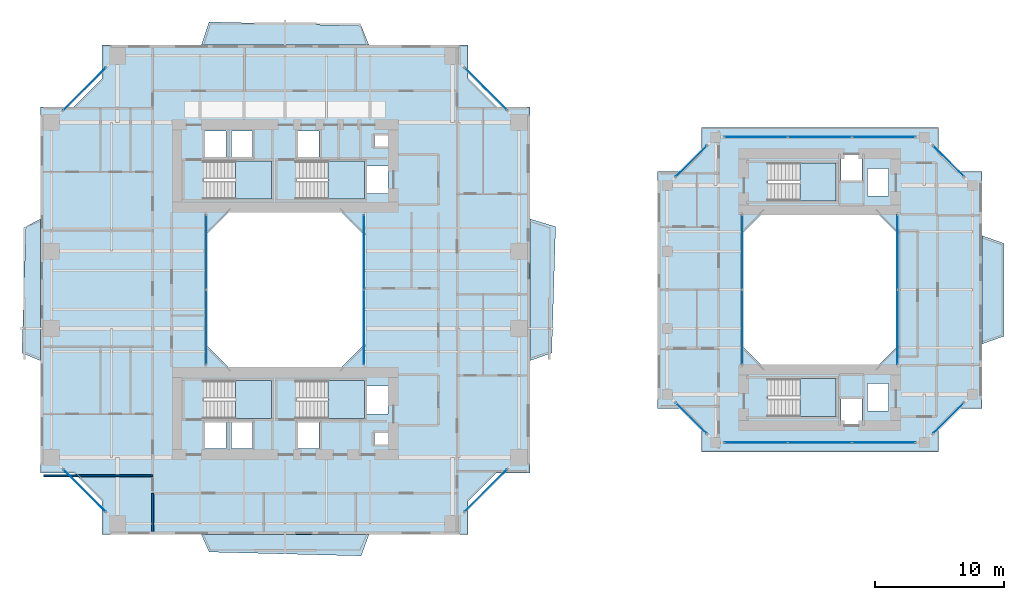
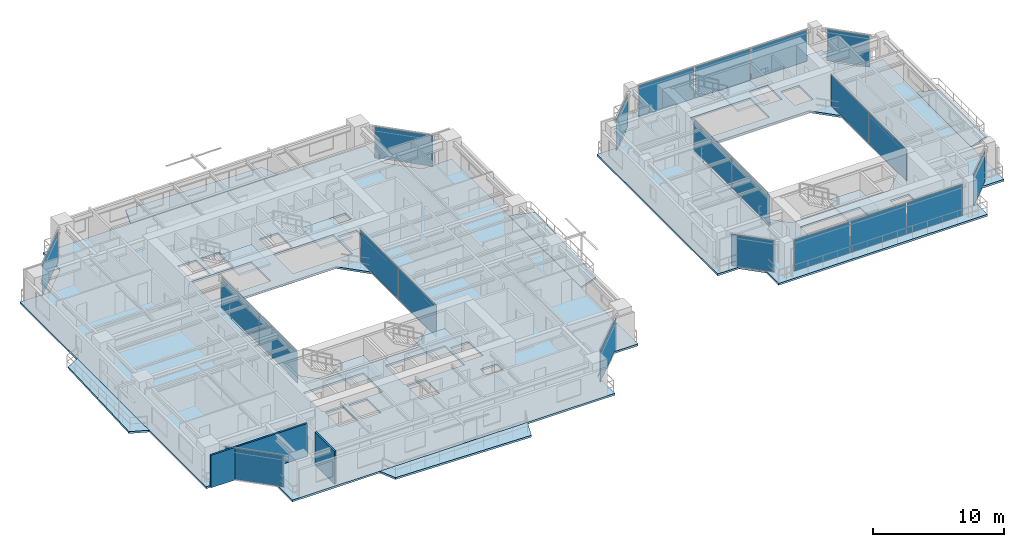
# One storey, part 11 of 23: 22 plates, 13 slabs, 2 walls, 20 elements without a shape of their own.
"""IFC4 building model written with IfcOpenShell, lengths in metres."""

import ifcopenshell
import ifcopenshell.guid

model = None  # the IFC model being written
_history = None  # IfcOwnerHistory: only IFC2X3 demands one
_inside = {}  # id of a spatial element -> (the spatial element, [elements in it])
_under = {}  # id of a project, library or spatial element -> (it, [spatial elements below it])
_declared = {}  # id of a project -> (the project, [libraries it declares])
_typed = {}  # id of a type object -> (the type object, [elements of that type])
_made_of = {}  # id of a material, layer set ... -> (it, [elements and type objects made of it])


def new_model(schema):
    """Start an empty IFC model of exactly this schema.

    Asked for "IFC4X3", IfcOpenShell would pick the latest addendum, in which some entities
    have other attributes; the version numbers below select the first issue.
    IFC2X3 requires an IfcOwnerHistory on every rooted entity: one is made here for all.
    """
    global model, _history
    if schema == "IFC4X3":
        model = ifcopenshell.file(schema_version=(4, 3, 0, 0))
    else:
        model = ifcopenshell.file(schema=schema)
    _inside.clear()
    _under.clear()
    _declared.clear()
    _typed.clear()
    _made_of.clear()
    _history = None
    if model.schema == "IFC2X3":
        org = make("IfcOrganization", Name="unknown")
        user = make(
            "IfcPersonAndOrganization",
            ThePerson=make("IfcPerson", FamilyName="unknown"),
            TheOrganization=org,
        )
        app = make(
            "IfcApplication",
            ApplicationDeveloper=org,
            Version="unknown",
            ApplicationFullName="unknown",
            ApplicationIdentifier="unknown",
        )
        _history = make(
            "IfcOwnerHistory",
            OwningUser=user,
            OwningApplication=app,
            ChangeAction="ADDED",
            CreationDate=0,
        )
    return model


def make(cls, **values):
    """One entity of the class cls with the attributes given. An attribute that is None is left unset."""
    return model.create_entity(
        cls, **{name: value for name, value in values.items() if value is not None}
    )


def rooted(cls, **values):
    """An entity with a GlobalId (a new one), such as an element, a storey or a relation."""
    return make(cls, GlobalId=ifcopenshell.guid.new(), OwnerHistory=_history, **values)


def si_unit(unit_type, name, prefix=None):
    """IfcSIUnit, for example si_unit("LENGTHUNIT", "METRE", prefix="MILLI")."""
    return make("IfcSIUnit", UnitType=unit_type, Prefix=prefix, Name=name)


def assignment(units):
    """IfcUnitAssignment: the units of a project."""
    return None if units is None else make("IfcUnitAssignment", Units=units)


def point(xyz):
    """IfcCartesianPoint."""
    return None if xyz is None else make("IfcCartesianPoint", Coordinates=xyz)


def direction(xyz):
    """IfcDirection."""
    return None if xyz is None else make("IfcDirection", DirectionRatios=xyz)


def frame(location, z_axis=None, x_axis=None):
    """IfcAxis2Placement3D, a coordinate frame: its origin and axes. An axis left out is left unset."""
    return make(
        "IfcAxis2Placement3D",
        Location=point(location),
        Axis=direction(z_axis),
        RefDirection=direction(x_axis),
    )


def frame_2d(location, x_axis=None):
    """IfcAxis2Placement2D, a coordinate frame in the plane: its origin and x axis."""
    return make(
        "IfcAxis2Placement2D", Location=point(location), RefDirection=direction(x_axis)
    )


def origin():
    """The frame at (0, 0, 0) with its axes left unset."""
    return frame((0.0, 0.0, 0.0))


def origin_2d():
    """The frame at (0, 0) in the plane with its x axis left unset."""
    return frame_2d((0.0, 0.0))


def place(relative_to, where):
    """IfcLocalPlacement: puts the frame where relative to a parent placement (None: the world)."""
    return make(
        "IfcLocalPlacement", PlacementRelTo=relative_to, RelativePlacement=where
    )


def context(
    kind, dimensions, precision=None, world=None, true_north=None, identifier=None
):
    """IfcGeometricRepresentationContext, for example the 3D "Model" context."""
    return make(
        "IfcGeometricRepresentationContext",
        ContextIdentifier=identifier,
        ContextType=kind,
        CoordinateSpaceDimension=dimensions,
        Precision=precision,
        WorldCoordinateSystem=world,
        TrueNorth=true_north,
    )


def subcontext(parent, identifier, kind, view, scale=None):
    """IfcGeometricRepresentationSubContext, for example "Body" below "Model"."""
    return make(
        "IfcGeometricRepresentationSubContext",
        ContextIdentifier=identifier,
        ContextType=kind,
        ParentContext=parent,
        TargetScale=scale,
        TargetView=view,
    )


def project(units=None, contexts=None):
    """IfcProject with its units and contexts."""
    return rooted(
        "IfcProject",
        Name="project",
        RepresentationContexts=contexts,
        UnitsInContext=assignment(units),
    )


def spatial(cls, under=None, at=None, **own):
    """A site, building, storey or space (cls), placed at a placement, below another one or the project."""
    s = rooted(cls, ObjectPlacement=at, **own)
    if under is not None:
        _under.setdefault(under.id(), (under, []))[1].append(s)
    return s


def polyline(points):
    """IfcPolyline through the points."""
    return make("IfcPolyline", Points=[point(p) for p in points])


def profile(cls, at=None, kind="AREA", **sizes):
    """A parametric profile (cls). Its sizes go by their IFC names, for example OverallWidth=200.0."""
    return make(cls, ProfileType=kind, Position=at, **sizes)


def rectangle(**sizes):
    """IfcRectangleProfileDef."""
    return profile("IfcRectangleProfileDef", **sizes)


def outline(outer, holes=None, kind="AREA"):
    """IfcArbitraryClosedProfileDef: a profile drawn as a closed curve; with holes, ...WithVoids."""
    if holes is None:
        return make("IfcArbitraryClosedProfileDef", ProfileType=kind, OuterCurve=outer)
    return make(
        "IfcArbitraryProfileDefWithVoids",
        ProfileType=kind,
        OuterCurve=outer,
        InnerCurves=holes,
    )


def extrude(swept, where, along, depth):
    """IfcExtrudedAreaSolid: the profile swept, set in the frame where, extruded along a direction by depth."""
    return make(
        "IfcExtrudedAreaSolid",
        SweptArea=swept,
        Position=where,
        ExtrudedDirection=direction(along),
        Depth=depth,
    )


def shape(context_of_items, identifier, shape_type, items):
    """IfcShapeRepresentation: the items that make up one representation, for example the "Body"."""
    return make(
        "IfcShapeRepresentation",
        ContextOfItems=context_of_items,
        RepresentationIdentifier=identifier,
        RepresentationType=shape_type,
        Items=items,
    )


def source(mapping_origin, context_of_items, identifier, shape_type, items):
    """IfcRepresentationMap: a shape defined once, which mapped items show again and again."""
    return make(
        "IfcRepresentationMap",
        MappingOrigin=mapping_origin,
        MappedRepresentation=shape(context_of_items, identifier, shape_type, items),
    )


def transform(
    local_origin,
    x_axis=None,
    y_axis=None,
    z_axis=None,
    scale=None,
    scale2=None,
    scale3=None,
    uniform=True,
):
    """IfcCartesianTransformationOperator3D, or its non-uniform kind. x_axis, y_axis, z_axis: its Axis1, 2, 3."""
    if uniform:
        return make(
            "IfcCartesianTransformationOperator3D",
            Axis1=direction(x_axis),
            Axis2=direction(y_axis),
            LocalOrigin=point(local_origin),
            Scale=scale,
            Axis3=direction(z_axis),
        )
    return make(
        "IfcCartesianTransformationOperator3DnonUniform",
        Axis1=direction(x_axis),
        Axis2=direction(y_axis),
        LocalOrigin=point(local_origin),
        Scale=scale,
        Axis3=direction(z_axis),
        Scale2=scale2,
        Scale3=scale3,
    )


def mapped(mapping_source, mapping_target):
    """IfcMappedItem: shows the shape of a source again, moved by a transform."""
    return make(
        "IfcMappedItem", MappingSource=mapping_source, MappingTarget=mapping_target
    )


def material(Name=None, Category=None):
    """IfcMaterial."""
    return make("IfcMaterial", Name=Name, Category=Category)


def layer(
    of_material, thickness, ventilated=None, Name=None, Category=None, Priority=None
):
    """IfcMaterialLayer: one layer of a wall or slab, of a material (None: an air gap)."""
    return make(
        "IfcMaterialLayer",
        Material=of_material,
        LayerThickness=thickness,
        IsVentilated=ventilated,
        Name=Name,
        Category=Category,
        Priority=Priority,
    )


def layer_set(layers, Name=None):
    """IfcMaterialLayerSet."""
    return make("IfcMaterialLayerSet", MaterialLayers=layers, LayerSetName=Name)


def made_of(thing, what):
    """Note that an element or type object is made of a material, layer set ...; save() writes the relation."""
    if what is not None:
        _made_of.setdefault(what.id(), (what, []))[1].append(thing)
    return thing


def type_object(cls, material=None, **own):
    """A type object (cls), such as IfcWallType, which elements share."""
    return made_of(rooted(cls, **own), material)


def element(
    cls,
    number,
    at=None,
    inside=None,
    cuts=None,
    type_object=None,
    material=None,
    context=None,
    identifier="Body",
    shape_type=None,
    held_by="IfcProductDefinitionShape",
    body=None,
    shapes=None,
    **own,
):
    """One element of the class cls, such as IfcWall. Its Tag is "e" and its number.

    at: its placement. inside: the storey or other place that contains it. cuts: it is an
    opening in that element (IfcRelVoidsElement). A single representation is given by context,
    identifier, shape_type and body (its items); several are given by shapes. held_by: the class
    of the entity that holds the representations. save() writes the other relations.
    """
    e = rooted(cls, Tag="e%d" % number, ObjectPlacement=at, **own)
    if body is not None:
        shapes = [shape(context, identifier, shape_type, body)]
    if shapes is not None:
        e.Representation = make(held_by, Representations=shapes)
    if inside is not None:
        _inside.setdefault(inside.id(), (inside, []))[1].append(e)
    if cuts is not None:
        rooted(
            "IfcRelVoidsElement", RelatingBuildingElement=cuts, RelatedOpeningElement=e
        )
    if type_object is not None:
        _typed.setdefault(type_object.id(), (type_object, []))[1].append(e)
    return made_of(e, material)


def aggregate(whole, parts):
    """IfcRelAggregates: a whole, such as a stair, and the parts it consists of."""
    return rooted("IfcRelAggregates", RelatingObject=whole, RelatedObjects=parts)


def save(model, path):
    """Write the relations noted so far, then the file.

    IfcRelAggregates (storeys below a building ...), IfcRelContainedInSpatialStructure (elements
    in a storey), IfcRelDefinesByType, IfcRelAssociatesMaterial and IfcRelDeclares: one each for
    every whole, place, type object, material and project.
    """
    for whole, parts in _under.values():
        aggregate(whole, parts)
    for where, things in _inside.values():
        rooted(
            "IfcRelContainedInSpatialStructure",
            RelatedElements=things,
            RelatingStructure=where,
        )
    for kind, things in _typed.values():
        rooted("IfcRelDefinesByType", RelatedObjects=things, RelatingType=kind)
    for what, things in _made_of.values():
        rooted("IfcRelAssociatesMaterial", RelatedObjects=things, RelatingMaterial=what)
    for by, libraries in _declared.values():
        rooted("IfcRelDeclares", RelatingContext=by, RelatedDefinitions=libraries)
    model.write(path)


model = new_model("IFC4")

# Units and contexts
model_context = context("Model", 3, precision=1e-05, world=origin(), true_north=direction((0.0, 1.0)))
body_context = subcontext(model_context, "Body", "Model", "MODEL_VIEW")
ifc_project = project(units=[si_unit("LENGTHUNIT", "METRE"), si_unit("AREAUNIT", "SQUARE_METRE"), si_unit("VOLUMEUNIT", "CUBIC_METRE"), si_unit("PLANEANGLEUNIT", "RADIAN"), si_unit("MASSUNIT", "GRAM", prefix="KILO"), si_unit("THERMODYNAMICTEMPERATUREUNIT", "KELVIN"), si_unit("POWERUNIT", "WATT")], contexts=[model_context])

# Site, building, storey
site_placement = place(None, origin())
site = spatial("IfcSite", under=ifc_project, at=site_placement, CompositionType="ELEMENT")
building_placement = place(site_placement, origin())
building = spatial("IfcBuilding", under=site, at=building_placement, Name="Qiaomeng Ring Towers", CompositionType="ELEMENT")
storey_placement = place(building_placement, frame((0.0, 0.0, 89.25)))
storey = spatial("IfcBuildingStorey", under=building, at=storey_placement, Name="L25", CompositionType="ELEMENT", Elevation=89.25)

# Slabs
ifc_material_1 = material(Name="Concrete C40", Category="concrete")
ifc_layer_1 = layer(ifc_material_1, 0.179931640625, Name="Concrete C40")
ifc_layer_set_1 = layer_set([ifc_layer_1], Name="Concrete C40")
slab_type_1 = type_object("IfcSlabType", Name="STR-SL-180", PredefinedType="FLOOR", material=ifc_layer_set_1)
slab_1_placement = place(storey_placement, frame((0.0, 0.0, -0.179931640625)))
element("IfcSlab", 1, at=slab_1_placement, inside=storey, type_object=slab_type_1, Name="L25 Tower 1 Annular Floor Slab", PredefinedType="FLOOR", context=body_context, shape_type="SweptSolid", body=[
    extrude(outline(polyline([(4.800048828125, 4.0), (33.199951171875, 4.0), (33.199951171875, 6.60009765625), (35.39990234375, 8.800048828125), (38.0, 8.800048828125), (38.0, 37.199951171875), (35.39990234375, 37.199951171875), (33.199951171875, 39.39990234375), (33.199951171875, 42.0), (4.800048828125, 42.0), (4.800048828125, 39.39990234375), (2.60009765625, 37.199951171875), (0.0, 37.199951171875), (0.0, 8.800048828125), (2.60009765625, 8.800048828125), (4.800048828125, 6.60009765625), (4.800048828125, 4.0)]), holes=[polyline([(12.780029296875, 10.679931640625), (12.780029296875, 12.820068359375), (14.419921875, 12.820068359375), (14.419921875, 10.679931640625), (12.780029296875, 10.679931640625)]), polyline([(14.830078125, 12.820068359375), (16.469970703125, 12.820068359375), (16.469970703125, 10.679931640625), (14.830078125, 10.679931640625), (14.830078125, 12.820068359375)]), polyline([(12.679931640625, 15.949951171875), (17.949951171875, 15.949951171875), (17.949951171875, 13.010009765625), (12.679931640625, 13.010009765625), (12.679931640625, 15.949951171875)]), polyline([(25.199951171875, 27.199951171875), (25.199951171875, 18.800048828125), (23.199951171875, 16.800048828125), (14.800048828125, 16.800048828125), (12.800048828125, 18.800048828125), (12.800048828125, 27.199951171875), (14.800048828125, 29.199951171875), (23.199951171875, 29.199951171875), (25.199951171875, 27.199951171875)]), polyline([(12.679931640625, 32.989990234375), (17.949951171875, 32.989990234375), (17.949951171875, 30.050048828125), (12.679931640625, 30.050048828125), (12.679931640625, 32.989990234375)]), polyline([(12.780029296875, 35.320068359375), (14.419921875, 35.320068359375), (14.419921875, 33.179931640625), (12.780029296875, 33.179931640625), (12.780029296875, 35.320068359375)]), polyline([(14.830078125, 35.320068359375), (16.469970703125, 35.320068359375), (16.469970703125, 33.179931640625), (14.830078125, 33.179931640625), (14.830078125, 35.320068359375)]), polyline([(19.97998046875, 35.320068359375), (21.6201171875, 35.320068359375), (21.6201171875, 33.179931640625), (19.97998046875, 33.179931640625), (19.97998046875, 35.320068359375)]), polyline([(25.919921875, 11.89990234375), (27.360107421875, 11.89990234375), (27.360107421875, 11.0), (25.919921875, 11.0), (25.919921875, 11.89990234375)]), polyline([(19.97998046875, 12.820068359375), (21.6201171875, 12.820068359375), (21.6201171875, 10.679931640625), (19.97998046875, 10.679931640625), (19.97998046875, 12.820068359375)]), polyline([(25.360107421875, 15.52001953125), (27.0, 15.52001953125), (27.0, 13.3798828125), (25.360107421875, 13.3798828125), (25.360107421875, 15.52001953125)]), polyline([(19.8798828125, 15.949951171875), (25.14990234375, 15.949951171875), (25.14990234375, 13.010009765625), (19.8798828125, 13.010009765625), (19.8798828125, 15.949951171875)]), polyline([(19.8798828125, 32.989990234375), (25.14990234375, 32.989990234375), (25.14990234375, 30.050048828125), (19.8798828125, 30.050048828125), (19.8798828125, 32.989990234375)]), polyline([(25.360107421875, 32.6201171875), (27.0, 32.6201171875), (27.0, 30.47998046875), (25.360107421875, 30.47998046875), (25.360107421875, 32.6201171875)]), polyline([(25.919921875, 35.0), (27.360107421875, 35.0), (27.360107421875, 34.10009765625), (25.919921875, 34.10009765625), (25.919921875, 35.0)])]), origin(), (0.0, 0.0, 1.0), 0.179931640625),
])
slab_2_placement = place(storey_placement, frame((0.0, 0.0, -0.179931640625)))
element("IfcSlab", 2, at=slab_2_placement, inside=storey, type_object=slab_type_1, Name="L25 Companion Tower 2 Annular Floor Slab", PredefinedType="FLOOR", context=body_context, shape_type="SweptSolid", body=[
    extrude(outline(polyline([(51.300048828125, 10.39990234375), (69.699951171875, 10.39990234375), (69.699951171875, 12.300048828125), (71.199951171875, 13.800048828125), (73.10009765625, 13.800048828125), (73.10009765625, 32.199951171875), (71.199951171875, 32.199951171875), (69.699951171875, 33.699951171875), (69.699951171875, 35.60009765625), (51.300048828125, 35.60009765625), (51.300048828125, 33.699951171875), (49.800048828125, 32.199951171875), (47.89990234375, 32.199951171875), (47.89990234375, 13.800048828125), (49.800048828125, 13.800048828125), (51.300048828125, 12.300048828125), (51.300048828125, 10.39990234375)]), holes=[polyline([(62.1298828125, 12.3798828125), (62.1298828125, 14.52001953125), (63.77001953125, 14.52001953125), (63.77001953125, 12.3798828125), (62.1298828125, 12.3798828125)]), polyline([(56.47998046875, 13.159912109375), (56.47998046875, 16.10009765625), (61.75, 16.10009765625), (61.75, 13.159912109375), (56.47998046875, 13.159912109375)]), polyline([(64.179931640625, 13.580078125), (64.179931640625, 15.719970703125), (65.820068359375, 15.719970703125), (65.820068359375, 13.580078125), (64.179931640625, 13.580078125)]), polyline([(64.800048828125, 29.10009765625), (66.60009765625, 27.300048828125), (66.60009765625, 18.699951171875), (64.800048828125, 16.89990234375), (56.199951171875, 16.89990234375), (54.39990234375, 18.699951171875), (54.39990234375, 27.300048828125), (56.199951171875, 29.10009765625), (64.800048828125, 29.10009765625)]), polyline([(64.179931640625, 30.280029296875), (64.179931640625, 32.419921875), (65.820068359375, 32.419921875), (65.820068359375, 30.280029296875), (64.179931640625, 30.280029296875)]), polyline([(56.47998046875, 32.840087890625), (61.75, 32.840087890625), (61.75, 29.89990234375), (56.47998046875, 29.89990234375), (56.47998046875, 32.840087890625)]), polyline([(62.1298828125, 33.6201171875), (63.77001953125, 33.6201171875), (63.77001953125, 31.47998046875), (62.1298828125, 31.47998046875), (62.1298828125, 33.6201171875)])]), origin(), (0.0, 0.0, 1.0), 0.179931640625),
])
ifc_layer_2 = layer(ifc_material_1, 0.179931640625, Name="Concrete C40")
ifc_layer_set_2 = layer_set([ifc_layer_2], Name="Concrete C40")
slab_type_2 = type_object("IfcSlabType", Name="STR-SL-BAL", PredefinedType="FLOOR", material=ifc_layer_set_2)
slab_3_placement = place(storey_placement, frame((0.0, 0.0, -0.179931640625)))
element("IfcSlab", 3, at=slab_3_placement, inside=storey, type_object=slab_type_2, Name="L25 Tower 1 S Faceted Balcony Slab", PredefinedType="FLOOR", context=body_context, shape_type="SweptSolid", body=[
    extrude(outline(polyline([(24.89990234375, 2.35009765625), (13.10009765625, 2.64990234375), (12.5, 4.0), (25.5, 4.0), (24.89990234375, 2.35009765625)])), origin(), (0.0, 0.0, 1.0), 0.179931640625),
])
slab_4_placement = place(storey_placement, frame((0.0, 0.0, -0.179931640625)))
element("IfcSlab", 4, at=slab_4_placement, inside=storey, type_object=slab_type_2, Name="L25 Tower 1 E Faceted Balcony Slab", PredefinedType="FLOOR", context=body_context, shape_type="SweptSolid", body=[
    extrude(outline(polyline([(39.989990234375, 27.89990234375), (39.68994140625, 18.10009765625), (38.0, 17.5), (38.0, 28.5), (39.989990234375, 27.89990234375)])), origin(), (0.0, 0.0, 1.0), 0.179931640625),
])
slab_5_placement = place(storey_placement, frame((0.0, 0.0, -0.179931640625)))
element("IfcSlab", 5, at=slab_5_placement, inside=storey, type_object=slab_type_2, Name="L25 Tower 1 N Faceted Balcony Slab", PredefinedType="FLOOR", context=body_context, shape_type="SweptSolid", body=[
    extrude(outline(polyline([(12.5, 42.0), (13.10009765625, 43.7900390625), (24.89990234375, 43.489990234375), (25.5, 42.0), (12.5, 42.0)])), origin(), (0.0, 0.0, 1.0), 0.179931640625),
])
slab_6_placement = place(storey_placement, frame((0.0, 0.0, -0.179931640625)))
element("IfcSlab", 6, at=slab_6_placement, inside=storey, type_object=slab_type_2, Name="L25 Tower 1 W Faceted Balcony Slab", PredefinedType="FLOOR", context=body_context, shape_type="SweptSolid", body=[
    extrude(outline(polyline([(0.0, 17.5), (-1.429931640625, 18.10009765625), (-1.1298828125, 27.89990234375), (0.0, 28.5), (0.0, 17.5)])), origin(), (0.0, 0.0, 1.0), 0.179931640625),
])
slab_7_placement = place(storey_placement, frame((0.0, 0.0, -0.179931640625)))
element("IfcSlab", 7, at=slab_7_placement, inside=storey, type_object=slab_type_2, Name="L25 Companion East Faceted Balcony Slab", PredefinedType="FLOOR", context=body_context, shape_type="SweptSolid", body=[
    extrude(outline(polyline([(74.7900390625, 26.60009765625), (74.7900390625, 19.39990234375), (73.10009765625, 18.800048828125), (73.10009765625, 27.199951171875), (74.7900390625, 26.60009765625)])), origin(), (0.0, 0.0, 1.0), 0.179931640625),
])

# Stair, slab
ifc_material_2 = material(Name="Precast concrete C40", Category="concrete")
stair_type = type_object("IfcStairType", Name="ARC-ST-325", PredefinedType="HALF_TURN_STAIR", material=ifc_material_2)
stair_1_placement = place(storey_placement, origin())
stair_1 = element("IfcStair", 8, at=stair_1_placement, inside=storey, type_object=stair_type, Name="L25 Tower 1 North Stair 1", PredefinedType="HALF_TURN_STAIR")
ifc_layer_3 = layer(ifc_material_1, 0.199951171875, Name="Concrete C40")
ifc_layer_set_3 = layer_set([ifc_layer_3], Name="Concrete C40")
slab_type_3 = type_object("IfcSlabType", Name="STR-SL-LANDING", PredefinedType="LANDING", material=ifc_layer_set_3)
slab_8_placement = place(storey_placement, frame((0.0, 0.0, 1.425048828125)))
slab_8 = element("IfcSlab", 9, at=slab_8_placement, type_object=slab_type_3, Name="ST1 landing 1", PredefinedType="LANDING", context=body_context, shape_type="SweptSolid", body=[
    extrude(outline(polyline([(15.139892578125, 30.050048828125), (17.949951171875, 30.050048828125), (17.949951171875, 32.989990234375), (15.139892578125, 32.989990234375), (15.139892578125, 30.050048828125)])), origin(), (0.0, 0.0, 1.0), 0.199951171875),
])
aggregate(stair_1, [slab_8])

stair_2_placement = place(storey_placement, origin())
stair_2 = element("IfcStair", 10, at=stair_2_placement, inside=storey, type_object=stair_type, Name="L25 Tower 1 North Stair 2", PredefinedType="HALF_TURN_STAIR")
slab_9_placement = place(storey_placement, frame((0.0, 0.0, 1.425048828125)))
slab_9 = element("IfcSlab", 11, at=slab_9_placement, type_object=slab_type_3, Name="ST2 landing 1", PredefinedType="LANDING", context=body_context, shape_type="SweptSolid", body=[
    extrude(outline(polyline([(22.340087890625, 30.050048828125), (25.14990234375, 30.050048828125), (25.14990234375, 32.989990234375), (22.340087890625, 32.989990234375), (22.340087890625, 30.050048828125)])), origin(), (0.0, 0.0, 1.0), 0.199951171875),
])
aggregate(stair_2, [slab_9])

stair_3_placement = place(storey_placement, origin())
stair_3 = element("IfcStair", 12, at=stair_3_placement, inside=storey, type_object=stair_type, Name="L25 Tower 1 South Stair 3", PredefinedType="HALF_TURN_STAIR")
slab_10_placement = place(storey_placement, frame((0.0, 0.0, 1.425048828125)))
slab_10 = element("IfcSlab", 13, at=slab_10_placement, type_object=slab_type_3, Name="ST3 landing 1", PredefinedType="LANDING", context=body_context, shape_type="SweptSolid", body=[
    extrude(outline(polyline([(15.139892578125, 13.010009765625), (17.949951171875, 13.010009765625), (17.949951171875, 15.949951171875), (15.139892578125, 15.949951171875), (15.139892578125, 13.010009765625)])), origin(), (0.0, 0.0, 1.0), 0.199951171875),
])
aggregate(stair_3, [slab_10])

stair_4_placement = place(storey_placement, origin())
stair_4 = element("IfcStair", 14, at=stair_4_placement, inside=storey, type_object=stair_type, Name="L25 Tower 1 South Stair 4", PredefinedType="HALF_TURN_STAIR")
slab_11_placement = place(storey_placement, frame((0.0, 0.0, 1.425048828125)))
slab_11 = element("IfcSlab", 15, at=slab_11_placement, type_object=slab_type_3, Name="ST4 landing 1", PredefinedType="LANDING", context=body_context, shape_type="SweptSolid", body=[
    extrude(outline(polyline([(22.340087890625, 13.010009765625), (25.14990234375, 13.010009765625), (25.14990234375, 15.949951171875), (22.340087890625, 15.949951171875), (22.340087890625, 13.010009765625)])), origin(), (0.0, 0.0, 1.0), 0.199951171875),
])
aggregate(stair_4, [slab_11])

stair_5_placement = place(storey_placement, origin())
stair_5 = element("IfcStair", 16, at=stair_5_placement, inside=storey, type_object=stair_type, Name="L25 Companion North Stair 5", PredefinedType="HALF_TURN_STAIR")
slab_12_placement = place(storey_placement, frame((0.0, 0.0, 1.425048828125)))
slab_12 = element("IfcSlab", 17, at=slab_12_placement, type_object=slab_type_3, Name="ST5 landing 1", PredefinedType="LANDING", context=body_context, shape_type="SweptSolid", body=[
    extrude(outline(polyline([(58.93994140625, 29.89990234375), (61.75, 29.89990234375), (61.75, 32.840087890625), (58.93994140625, 32.840087890625), (58.93994140625, 29.89990234375)])), origin(), (0.0, 0.0, 1.0), 0.199951171875),
])
aggregate(stair_5, [slab_12])

stair_6_placement = place(storey_placement, origin())
stair_6 = element("IfcStair", 18, at=stair_6_placement, inside=storey, type_object=stair_type, Name="L25 Companion South Stair 6", PredefinedType="HALF_TURN_STAIR")
slab_13_placement = place(storey_placement, frame((0.0, 0.0, 1.425048828125)))
slab_13 = element("IfcSlab", 19, at=slab_13_placement, type_object=slab_type_3, Name="ST6 landing 1", PredefinedType="LANDING", context=body_context, shape_type="SweptSolid", body=[
    extrude(outline(polyline([(58.93994140625, 13.159912109375), (61.75, 13.159912109375), (61.75, 16.10009765625), (58.93994140625, 16.10009765625), (58.93994140625, 13.159912109375)])), origin(), (0.0, 0.0, 1.0), 0.199951171875),
])
aggregate(stair_6, [slab_13])

# Curtain wall, plates
ifc_material_3 = material(Name="Fluorocarbon dark-grey aluminium", Category="aluminium")
ifc_layer_4 = layer(ifc_material_3, 0.139892578125, Name="Fluorocarbon dark-grey aluminium")
ifc_layer_set_4 = layer_set([ifc_layer_4], Name="Fluorocarbon dark-grey aluminium")
curtain_wall_type_1 = type_object("IfcCurtainWallType", Name="ARC-CW-4", PredefinedType="NOTDEFINED", material=ifc_layer_set_4)
curtain_wall_1_placement = place(storey_placement, origin())
curtain_wall_1 = element("IfcCurtainWall", 20, at=curtain_wall_1_placement, inside=storey, type_object=curtain_wall_type_1, Name="L25 Curtain Wall CW4", PredefinedType="NOTDEFINED")
ifc_material_4 = material(Name="Low-E dark-grey laminated double glazing", Category="glass")
ifc_layer_5 = layer(ifc_material_4, 0.028076171875, Name="Low-E dark-grey laminated double glazing")
ifc_layer_set_5 = layer_set([ifc_layer_5], Name="Low-E dark-grey laminated double glazing")
plate_type = type_object("IfcPlateType", Name="ARC-CWP-DARK", PredefinedType="CURTAIN_PANEL", material=ifc_layer_set_5)
shared_shape_1 = source(origin(), body_context, "Body", "SweptSolid", [
    extrude(rectangle(XDim=5.75244140625, YDim=0.028076171875, at=origin_2d()), origin(), (0.0, 0.0, 1.0), 2.89990234375),
])
plate_1_placement = place(storey_placement, frame((12.8798828125, 20.09130859375, 0.06494140625), z_axis=(0.0, 0.0, 1.0), x_axis=(0.0, 1.0, 0.0)))
plate_1 = element("IfcPlate", 21, at=plate_1_placement, type_object=plate_type, Name="CW4 panel 1.1", PredefinedType="CURTAIN_PANEL", context=body_context, shape_type="MappedRepresentation", body=[
    mapped(shared_shape_1, transform((0.0, 0.0, 0.0), x_axis=(1.0, 0.0, 0.0), y_axis=(0.0, 1.0, 0.0), z_axis=(0.0, 0.0, 1.0), scale=1.0)),
])
plate_2_placement = place(storey_placement, frame((12.8798828125, 25.90869140625, 0.06494140625), z_axis=(0.0, 0.0, 1.0), x_axis=(0.0, 1.0, 0.0)))
plate_2 = element("IfcPlate", 22, at=plate_2_placement, type_object=plate_type, Name="CW4 panel 2.1", PredefinedType="CURTAIN_PANEL", context=body_context, shape_type="MappedRepresentation", body=[
    mapped(shared_shape_1, transform((0.0, 0.0, 0.0), x_axis=(1.0, 0.0, 0.0), y_axis=(0.0, 1.0, 0.0), z_axis=(0.0, 0.0, 1.0), scale=1.0)),
])
aggregate(curtain_wall_1, [plate_1, plate_2])

curtain_wall_2_placement = place(storey_placement, origin())
curtain_wall_2 = element("IfcCurtainWall", 23, at=curtain_wall_2_placement, inside=storey, type_object=curtain_wall_type_1, Name="L25 Curtain Wall CW4", PredefinedType="NOTDEFINED")
plate_3_placement = place(storey_placement, frame((25.1201171875, 20.09130859375, 0.06494140625), z_axis=(0.0, 0.0, 1.0), x_axis=(0.0, 1.0, 0.0)))
plate_3 = element("IfcPlate", 24, at=plate_3_placement, type_object=plate_type, Name="CW4 panel 1.1", PredefinedType="CURTAIN_PANEL", context=body_context, shape_type="MappedRepresentation", body=[
    mapped(shared_shape_1, transform((0.0, 0.0, 0.0), x_axis=(1.0, 0.0, 0.0), y_axis=(0.0, 1.0, 0.0), z_axis=(0.0, 0.0, 1.0), scale=1.0)),
])
plate_4_placement = place(storey_placement, frame((25.1201171875, 25.90869140625, 0.06494140625), z_axis=(0.0, 0.0, 1.0), x_axis=(0.0, 1.0, 0.0)))
plate_4 = element("IfcPlate", 25, at=plate_4_placement, type_object=plate_type, Name="CW4 panel 2.1", PredefinedType="CURTAIN_PANEL", context=body_context, shape_type="MappedRepresentation", body=[
    mapped(shared_shape_1, transform((0.0, 0.0, 0.0), x_axis=(1.0, 0.0, 0.0), y_axis=(0.0, 1.0, 0.0), z_axis=(0.0, 0.0, 1.0), scale=1.0)),
])
aggregate(curtain_wall_2, [plate_3, plate_4])

curtain_wall_3_placement = place(storey_placement, origin())
curtain_wall_3 = element("IfcCurtainWall", 26, at=curtain_wall_3_placement, inside=storey, type_object=curtain_wall_type_1, Name="L25 Curtain Wall CW4", PredefinedType="NOTDEFINED")
plate_5_placement = place(storey_placement, frame((54.47998046875, 20.09130859375, 0.06494140625), z_axis=(0.0, 0.0, 1.0), x_axis=(0.0, 1.0, 0.0)))
plate_5 = element("IfcPlate", 27, at=plate_5_placement, type_object=plate_type, Name="CW4 panel 1.1", PredefinedType="CURTAIN_PANEL", context=body_context, shape_type="MappedRepresentation", body=[
    mapped(shared_shape_1, transform((0.0, 0.0, 0.0), x_axis=(1.0, 0.0, 0.0), y_axis=(0.0, 1.0, 0.0), z_axis=(0.0, 0.0, 1.0), scale=1.0)),
])
plate_6_placement = place(storey_placement, frame((54.47998046875, 25.90869140625, 0.06494140625), z_axis=(0.0, 0.0, 1.0), x_axis=(0.0, 1.0, 0.0)))
plate_6 = element("IfcPlate", 28, at=plate_6_placement, type_object=plate_type, Name="CW4 panel 2.1", PredefinedType="CURTAIN_PANEL", context=body_context, shape_type="MappedRepresentation", body=[
    mapped(shared_shape_1, transform((0.0, 0.0, 0.0), x_axis=(1.0, 0.0, 0.0), y_axis=(0.0, 1.0, 0.0), z_axis=(0.0, 0.0, 1.0), scale=1.0)),
])
aggregate(curtain_wall_3, [plate_5, plate_6])

curtain_wall_4_placement = place(storey_placement, origin())
curtain_wall_4 = element("IfcCurtainWall", 29, at=curtain_wall_4_placement, inside=storey, type_object=curtain_wall_type_1, Name="L25 Curtain Wall CW4", PredefinedType="NOTDEFINED")
plate_7_placement = place(storey_placement, frame((66.52001953125, 20.09130859375, 0.06494140625), z_axis=(0.0, 0.0, 1.0), x_axis=(0.0, 1.0, 0.0)))
plate_7 = element("IfcPlate", 30, at=plate_7_placement, type_object=plate_type, Name="CW4 panel 1.1", PredefinedType="CURTAIN_PANEL", context=body_context, shape_type="MappedRepresentation", body=[
    mapped(shared_shape_1, transform((0.0, 0.0, 0.0), x_axis=(1.0, 0.0, 0.0), y_axis=(0.0, 1.0, 0.0), z_axis=(0.0, 0.0, 1.0), scale=1.0)),
])
plate_8_placement = place(storey_placement, frame((66.52001953125, 25.90869140625, 0.06494140625), z_axis=(0.0, 0.0, 1.0), x_axis=(0.0, 1.0, 0.0)))
plate_8 = element("IfcPlate", 31, at=plate_8_placement, type_object=plate_type, Name="CW4 panel 2.1", PredefinedType="CURTAIN_PANEL", context=body_context, shape_type="MappedRepresentation", body=[
    mapped(shared_shape_1, transform((0.0, 0.0, 0.0), x_axis=(1.0, 0.0, 0.0), y_axis=(0.0, 1.0, 0.0), z_axis=(0.0, 0.0, 1.0), scale=1.0)),
])
aggregate(curtain_wall_4, [plate_7, plate_8])

# Curtain wall, plate
ifc_layer_6 = layer(ifc_material_3, 0.159912109375, Name="Fluorocarbon dark-grey aluminium")
ifc_layer_set_6 = layer_set([ifc_layer_6], Name="Fluorocarbon dark-grey aluminium")
curtain_wall_type_2 = type_object("IfcCurtainWallType", Name="ARC-CW-2", PredefinedType="NOTDEFINED", material=ifc_layer_set_6)
curtain_wall_5_placement = place(storey_placement, origin())
curtain_wall_5 = element("IfcCurtainWall", 32, at=curtain_wall_5_placement, inside=storey, type_object=curtain_wall_type_2, Name="L25 Curtain Wall CW2", PredefinedType="NOTDEFINED")
shared_shape_2 = source(origin(), body_context, "Body", "SweptSolid", [
    extrude(rectangle(XDim=4.6259765625, YDim=0.028076171875, at=origin_2d()), origin(), (0.0, 0.0, 1.0), 2.89990234375),
])
plate_9_placement = place(storey_placement, frame((34.574951171875, 7.425048828125, 0.06494140625), z_axis=(0.0, 0.0, 1.0), x_axis=(0.707106781187, 0.707106781187, 0.0)))
plate_9 = element("IfcPlate", 33, at=plate_9_placement, type_object=plate_type, Name="CW2 panel 1.1", PredefinedType="CURTAIN_PANEL", context=body_context, shape_type="MappedRepresentation", body=[
    mapped(shared_shape_2, transform((0.0, 0.0, 0.0), x_axis=(1.0, 0.0, 0.0), y_axis=(0.0, 1.0, 0.0), z_axis=(0.0, 0.0, 1.0), scale=1.0)),
])
aggregate(curtain_wall_5, [plate_9])

curtain_wall_6_placement = place(storey_placement, origin())
curtain_wall_6 = element("IfcCurtainWall", 34, at=curtain_wall_6_placement, inside=storey, type_object=curtain_wall_type_2, Name="L25 Curtain Wall CW2", PredefinedType="NOTDEFINED")
plate_10_placement = place(storey_placement, frame((34.574951171875, 38.574951171875, 0.06494140625), z_axis=(0.0, 0.0, 1.0), x_axis=(-0.707106781187, 0.707106781187, 0.0)))
plate_10 = element("IfcPlate", 35, at=plate_10_placement, type_object=plate_type, Name="CW2 panel 1.1", PredefinedType="CURTAIN_PANEL", context=body_context, shape_type="MappedRepresentation", body=[
    mapped(shared_shape_2, transform((0.0, 0.0, 0.0), x_axis=(1.0, 0.0, 0.0), y_axis=(0.0, 1.0, 0.0), z_axis=(0.0, 0.0, 1.0), scale=1.0)),
])
aggregate(curtain_wall_6, [plate_10])

curtain_wall_7_placement = place(storey_placement, origin())
curtain_wall_7 = element("IfcCurtainWall", 36, at=curtain_wall_7_placement, inside=storey, type_object=curtain_wall_type_2, Name="L25 Curtain Wall CW2", PredefinedType="NOTDEFINED")
plate_11_placement = place(storey_placement, frame((3.425048828125, 38.574951171875, 0.06494140625), z_axis=(0.0, 0.0, 1.0), x_axis=(-0.707106781187, -0.707106781187, 0.0)))
plate_11 = element("IfcPlate", 37, at=plate_11_placement, type_object=plate_type, Name="CW2 panel 1.1", PredefinedType="CURTAIN_PANEL", context=body_context, shape_type="MappedRepresentation", body=[
    mapped(shared_shape_2, transform((0.0, 0.0, 0.0), x_axis=(1.0, 0.0, 0.0), y_axis=(0.0, 1.0, 0.0), z_axis=(0.0, 0.0, 1.0), scale=1.0)),
])
aggregate(curtain_wall_7, [plate_11])

curtain_wall_8_placement = place(storey_placement, origin())
curtain_wall_8 = element("IfcCurtainWall", 38, at=curtain_wall_8_placement, inside=storey, type_object=curtain_wall_type_2, Name="L25 Curtain Wall CW2", PredefinedType="NOTDEFINED")
plate_12_placement = place(storey_placement, frame((3.425048828125, 7.425048828125, 0.06494140625), z_axis=(0.0, 0.0, 1.0), x_axis=(0.707106781187, -0.707106781187, 0.0)))
plate_12 = element("IfcPlate", 39, at=plate_12_placement, type_object=plate_type, Name="CW2 panel 1.1", PredefinedType="CURTAIN_PANEL", context=body_context, shape_type="MappedRepresentation", body=[
    mapped(shared_shape_2, transform((0.0, 0.0, 0.0), x_axis=(1.0, 0.0, 0.0), y_axis=(0.0, 1.0, 0.0), z_axis=(0.0, 0.0, 1.0), scale=1.0)),
])
aggregate(curtain_wall_8, [plate_12])

# Curtain wall, plates
ifc_layer_7 = layer(ifc_material_3, 0.14990234375, Name="Fluorocarbon dark-grey aluminium")
ifc_layer_set_7 = layer_set([ifc_layer_7], Name="Fluorocarbon dark-grey aluminium")
curtain_wall_type_3 = type_object("IfcCurtainWallType", Name="ARC-CW-5", PredefinedType="NOTDEFINED", material=ifc_layer_set_7)
curtain_wall_9_placement = place(storey_placement, origin())
curtain_wall_9 = element("IfcCurtainWall", 40, at=curtain_wall_9_placement, inside=storey, type_object=curtain_wall_type_3, Name="L25 Curtain Wall CW5", PredefinedType="NOTDEFINED")
shared_shape_3 = source(origin(), body_context, "Body", "SweptSolid", [
    extrude(rectangle(XDim=4.868408203125, YDim=0.028076171875, at=origin_2d()), origin(), (0.0, 0.0, 1.0), 2.89990234375),
])
plate_13_placement = place(storey_placement, frame((55.544189453125, 34.85009765625, 0.06494140625), z_axis=(0.0, 0.0, 1.0), x_axis=(1.0, 0.0, 0.0)))
plate_13 = element("IfcPlate", 41, at=plate_13_placement, type_object=plate_type, Name="CW5 panel 1.1", PredefinedType="CURTAIN_PANEL", context=body_context, shape_type="MappedRepresentation", body=[
    mapped(shared_shape_3, transform((0.0, 0.0, 0.0), x_axis=(1.0, 0.0, 0.0), y_axis=(0.0, 1.0, 0.0), z_axis=(0.0, 0.0, 1.0), scale=1.0)),
])
plate_14_placement = place(storey_placement, frame((65.455810546875, 34.85009765625, 0.06494140625), z_axis=(0.0, 0.0, 1.0), x_axis=(1.0, 0.0, 0.0)))
plate_14 = element("IfcPlate", 42, at=plate_14_placement, type_object=plate_type, Name="CW5 panel 3.1", PredefinedType="CURTAIN_PANEL", context=body_context, shape_type="MappedRepresentation", body=[
    mapped(shared_shape_3, transform((0.0, 0.0, 0.0), x_axis=(1.0, 0.0, 0.0), y_axis=(0.0, 1.0, 0.0), z_axis=(0.0, 0.0, 1.0), scale=1.0)),
])

curtain_wall_10_placement = place(storey_placement, origin())
curtain_wall_10 = element("IfcCurtainWall", 43, at=curtain_wall_10_placement, inside=storey, type_object=curtain_wall_type_3, Name="L25 Curtain Wall CW5", PredefinedType="NOTDEFINED")
plate_15_placement = place(storey_placement, frame((55.544189453125, 11.14990234375, 0.06494140625), z_axis=(0.0, 0.0, 1.0), x_axis=(1.0, 0.0, 0.0)))
plate_15 = element("IfcPlate", 44, at=plate_15_placement, type_object=plate_type, Name="CW5 panel 1.1", PredefinedType="CURTAIN_PANEL", context=body_context, shape_type="MappedRepresentation", body=[
    mapped(shared_shape_3, transform((0.0, 0.0, 0.0), x_axis=(1.0, 0.0, 0.0), y_axis=(0.0, 1.0, 0.0), z_axis=(0.0, 0.0, 1.0), scale=1.0)),
])
plate_16_placement = place(storey_placement, frame((65.455810546875, 11.14990234375, 0.06494140625), z_axis=(0.0, 0.0, 1.0), x_axis=(1.0, 0.0, 0.0)))
plate_16 = element("IfcPlate", 45, at=plate_16_placement, type_object=plate_type, Name="CW5 panel 3.1", PredefinedType="CURTAIN_PANEL", context=body_context, shape_type="MappedRepresentation", body=[
    mapped(shared_shape_3, transform((0.0, 0.0, 0.0), x_axis=(1.0, 0.0, 0.0), y_axis=(0.0, 1.0, 0.0), z_axis=(0.0, 0.0, 1.0), scale=1.0)),
])

# Plate
shared_shape_4 = source(origin(), body_context, "Body", "SweptSolid", [
    extrude(rectangle(XDim=4.9033203125, YDim=0.028076171875, at=origin_2d()), origin(), (0.0, 0.0, 1.0), 2.89990234375),
])
plate_17_placement = place(storey_placement, frame((60.5, 34.85009765625, 0.06494140625), z_axis=(0.0, 0.0, 1.0), x_axis=(1.0, 0.0, 0.0)))
plate_17 = element("IfcPlate", 46, at=plate_17_placement, type_object=plate_type, Name="CW5 panel 2.1", PredefinedType="CURTAIN_PANEL", context=body_context, shape_type="MappedRepresentation", body=[
    mapped(shared_shape_4, transform((0.0, 0.0, 0.0), x_axis=(1.0, 0.0, 0.0), y_axis=(0.0, 1.0, 0.0), z_axis=(0.0, 0.0, 1.0), scale=1.0)),
])

aggregate(curtain_wall_9, [plate_13, plate_17, plate_14])

plate_18_placement = place(storey_placement, frame((60.5, 11.14990234375, 0.06494140625), z_axis=(0.0, 0.0, 1.0), x_axis=(1.0, 0.0, 0.0)))
plate_18 = element("IfcPlate", 47, at=plate_18_placement, type_object=plate_type, Name="CW5 panel 2.1", PredefinedType="CURTAIN_PANEL", context=body_context, shape_type="MappedRepresentation", body=[
    mapped(shared_shape_4, transform((0.0, 0.0, 0.0), x_axis=(1.0, 0.0, 0.0), y_axis=(0.0, 1.0, 0.0), z_axis=(0.0, 0.0, 1.0), scale=1.0)),
])

aggregate(curtain_wall_10, [plate_15, plate_18, plate_16])

# Curtain wall, plate
curtain_wall_11_placement = place(storey_placement, origin())
curtain_wall_11 = element("IfcCurtainWall", 48, at=curtain_wall_11_placement, inside=storey, type_object=curtain_wall_type_3, Name="L25 Curtain Wall CW5", PredefinedType="NOTDEFINED")
shared_shape_5 = source(origin(), body_context, "Body", "SweptSolid", [
    extrude(rectangle(XDim=3.35302734375, YDim=0.028076171875, at=origin_2d()), origin(), (0.0, 0.0, 1.0), 2.89990234375),
])
plate_19_placement = place(storey_placement, frame((70.47509765625, 13.02490234375, 0.06494140625), z_axis=(0.0, 0.0, 1.0), x_axis=(0.707106781187, 0.707106781187, 0.0)))
plate_19 = element("IfcPlate", 49, at=plate_19_placement, type_object=plate_type, Name="CW5 panel 1.1", PredefinedType="CURTAIN_PANEL", context=body_context, shape_type="MappedRepresentation", body=[
    mapped(shared_shape_5, transform((0.0, 0.0, 0.0), x_axis=(1.0, 0.0, 0.0), y_axis=(0.0, 1.0, 0.0), z_axis=(0.0, 0.0, 1.0), scale=1.0)),
])
aggregate(curtain_wall_11, [plate_19])

curtain_wall_12_placement = place(storey_placement, origin())
curtain_wall_12 = element("IfcCurtainWall", 50, at=curtain_wall_12_placement, inside=storey, type_object=curtain_wall_type_3, Name="L25 Curtain Wall CW5", PredefinedType="NOTDEFINED")
plate_20_placement = place(storey_placement, frame((70.47509765625, 32.97509765625, 0.06494140625), z_axis=(0.0, 0.0, 1.0), x_axis=(-0.707106781187, 0.707106781187, 0.0)))
plate_20 = element("IfcPlate", 51, at=plate_20_placement, type_object=plate_type, Name="CW5 panel 1.1", PredefinedType="CURTAIN_PANEL", context=body_context, shape_type="MappedRepresentation", body=[
    mapped(shared_shape_5, transform((0.0, 0.0, 0.0), x_axis=(1.0, 0.0, 0.0), y_axis=(0.0, 1.0, 0.0), z_axis=(0.0, 0.0, 1.0), scale=1.0)),
])
aggregate(curtain_wall_12, [plate_20])

curtain_wall_13_placement = place(storey_placement, origin())
curtain_wall_13 = element("IfcCurtainWall", 52, at=curtain_wall_13_placement, inside=storey, type_object=curtain_wall_type_3, Name="L25 Curtain Wall CW5", PredefinedType="NOTDEFINED")
plate_21_placement = place(storey_placement, frame((50.52490234375, 32.97509765625, 0.06494140625), z_axis=(0.0, 0.0, 1.0), x_axis=(-0.707106781187, -0.707106781187, 0.0)))
plate_21 = element("IfcPlate", 53, at=plate_21_placement, type_object=plate_type, Name="CW5 panel 1.1", PredefinedType="CURTAIN_PANEL", context=body_context, shape_type="MappedRepresentation", body=[
    mapped(shared_shape_5, transform((0.0, 0.0, 0.0), x_axis=(1.0, 0.0, 0.0), y_axis=(0.0, 1.0, 0.0), z_axis=(0.0, 0.0, 1.0), scale=1.0)),
])
aggregate(curtain_wall_13, [plate_21])

curtain_wall_14_placement = place(storey_placement, origin())
curtain_wall_14 = element("IfcCurtainWall", 54, at=curtain_wall_14_placement, inside=storey, type_object=curtain_wall_type_3, Name="L25 Curtain Wall CW5", PredefinedType="NOTDEFINED")
plate_22_placement = place(storey_placement, frame((50.52490234375, 13.02490234375, 0.06494140625), z_axis=(0.0, 0.0, 1.0), x_axis=(0.707106781187, -0.707106781187, 0.0)))
plate_22 = element("IfcPlate", 55, at=plate_22_placement, type_object=plate_type, Name="CW5 panel 1.1", PredefinedType="CURTAIN_PANEL", context=body_context, shape_type="MappedRepresentation", body=[
    mapped(shared_shape_5, transform((0.0, 0.0, 0.0), x_axis=(1.0, 0.0, 0.0), y_axis=(0.0, 1.0, 0.0), z_axis=(0.0, 0.0, 1.0), scale=1.0)),
])
aggregate(curtain_wall_14, [plate_22])

# Walls
ifc_material_5 = material(Name="Gypsum fireboard steel-stud partition", Category="steel")
ifc_layer_8 = layer(ifc_material_5, 0.14990234375, Name="Gypsum fireboard steel-stud partition")
ifc_layer_set_8 = layer_set([ifc_layer_8], Name="Gypsum fireboard steel-stud partition")
wall_type = type_object("IfcWallType", Name="ARC-WL-PW3", PredefinedType="PARTITIONING", material=ifc_layer_set_8)
wall_1_placement = place(storey_placement, frame((8.719970703125, 4.25, 0.0), z_axis=(0.0, 0.0, 1.0), x_axis=(0.0, 1.0, 0.0)))
element("IfcWall", 56, at=wall_1_placement, inside=storey, type_object=wall_type, Name="L25 Interior Wall PW3", PredefinedType="PARTITIONING", context=body_context, shape_type="SweptSolid", body=[
    extrude(rectangle(XDim=2.9599609375, YDim=0.14990234375, at=frame_2d((1.47998046875, 0.0))), origin(), (0.0, 0.0, 1.0), 3.030029296875),
])
wall_2_placement = place(storey_placement, frame((0.25, 8.570068359375, 0.0), z_axis=(0.0, 0.0, 1.0), x_axis=(1.0, 0.0, 0.0)))
element("IfcWall", 57, at=wall_2_placement, inside=storey, type_object=wall_type, Name="L25 Interior Wall PW3", PredefinedType="PARTITIONING", context=body_context, shape_type="SweptSolid", body=[
    extrude(rectangle(XDim=8.469970703125, YDim=0.14990234375, at=frame_2d((4.23486328125, 0.0))), origin(), (0.0, 0.0, 1.0), 3.030029296875),
])

save(model, "model.ifc")
